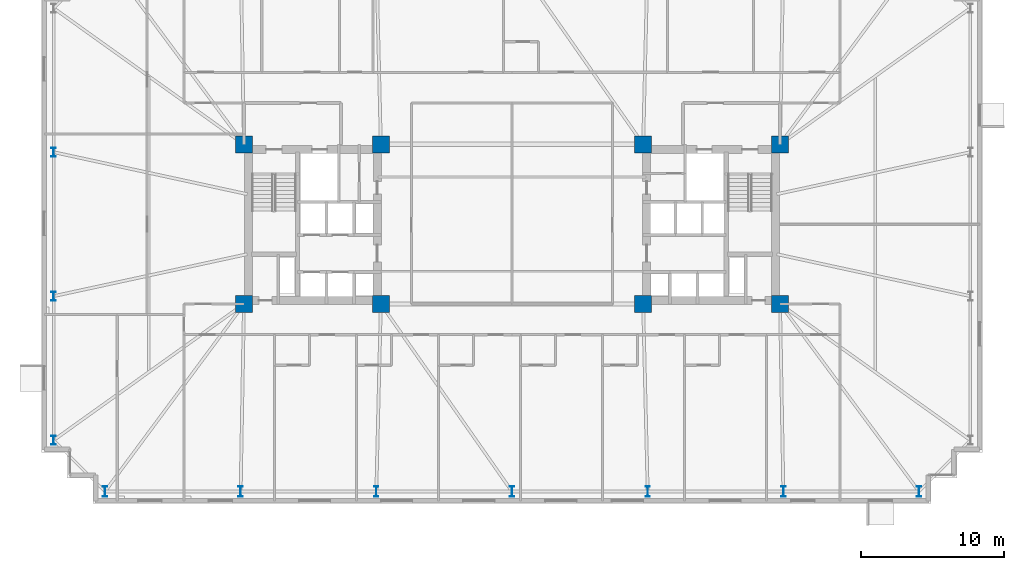
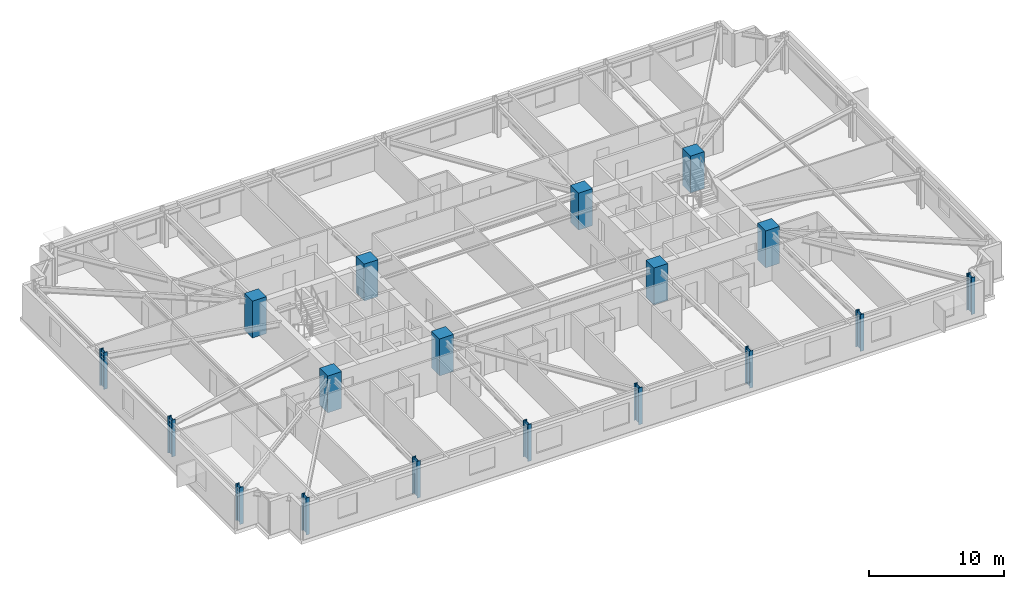
# One storey, part 1 of 20: 18 columns.
"""IFC4 building model written with IfcOpenShell, lengths in metres."""

from ifc_helpers import new_model, si_unit, direction, frame, origin, origin_2d, place, context, subcontext, project, spatial, rectangle, i_section, extrude, material, material_profile, profile_set, type_object, element, save


model = new_model("IFC4")

# Units and contexts
model_context = context("Model", 3, precision=1e-05, world=origin(), true_north=direction((0.0, 1.0)))
body_context = subcontext(model_context, "Body", "Model", "MODEL_VIEW")
ifc_project = project(units=[si_unit("LENGTHUNIT", "METRE"), si_unit("AREAUNIT", "SQUARE_METRE"), si_unit("VOLUMEUNIT", "CUBIC_METRE"), si_unit("PLANEANGLEUNIT", "RADIAN"), si_unit("MASSUNIT", "GRAM", prefix="KILO")], contexts=[model_context])

# Site, building, storey
site_placement = place(None, origin())
site = spatial("IfcSite", under=ifc_project, at=site_placement, CompositionType="ELEMENT")
building_placement = place(site_placement, origin())
building = spatial("IfcBuilding", under=site, at=building_placement, Name="Qobustan Lattice House", CompositionType="ELEMENT")
storey_placement = place(building_placement, frame((0.0, 0.0, 67.199951171875)))
storey = spatial("IfcBuildingStorey", under=building, at=storey_placement, Name="L18", CompositionType="ELEMENT", Elevation=67.199951171875)

# Columns
ifc_material_1 = material(Name="Concrete C60/75", Category="concrete")
ifc_material_profile_1 = material_profile(ifc_material_1, rectangle(XDim=1.199951171875, YDim=1.199951171875, at=origin_2d()), Name="RC1200x1200")
ifc_profile_set_1 = profile_set([ifc_material_profile_1], Name="Concrete C60/75")
column_type_1 = type_object("IfcColumnType", Name="COL-RC-1200", PredefinedType="COLUMN", material=ifc_profile_set_1)
for number, where, z_axis, x_axis, name in (
    (1, (-18.800048828125, -5.60009765625, 0.0), (0.0, 0.0, 1.0), (1.0, 0.0, 0.0), "L18 core mega-column CW-SW"),
    (2, (-18.800048828125, 5.60009765625, 0.0), (0.0, 0.0, 1.0), (1.0, 0.0, 0.0), "L18 core mega-column CW-NW"),
    (3, (-9.199951171875, -5.60009765625, 0.0), (0.0, 0.0, 1.0), (1.0, 0.0, 0.0), "L18 core mega-column CW-SE"),
    (4, (-9.199951171875, 5.60009765625, 0.0), (0.0, 0.0, 1.0), (1.0, 0.0, 0.0), "L18 core mega-column CW-NE"),
    (5, (9.199951171875, -5.60009765625, 0.0), (0.0, 0.0, 1.0), (1.0, 0.0, 0.0), "L18 core mega-column CE-SW"),
    (6, (9.199951171875, 5.60009765625, 0.0), (0.0, 0.0, 1.0), (1.0, 0.0, 0.0), "L18 core mega-column CE-NW"),
    (7, (18.800048828125, -5.60009765625, 0.0), (0.0, 0.0, 1.0), (1.0, 0.0, 0.0), "L18 core mega-column CE-SE"),
    (8, (18.800048828125, 5.60009765625, 0.0), (0.0, 0.0, 1.0), (1.0, 0.0, 0.0), "L18 core mega-column CE-NE"),
):
    element("IfcColumn", number, at=place(storey_placement, frame(where, z_axis=z_axis, x_axis=x_axis)), inside=storey, type_object=column_type_1, Name=name, PredefinedType="COLUMN", context=body_context, shape_type="SweptSolid", body=[
        extrude(rectangle(XDim=1.199951171875, YDim=1.199951171875, at=origin_2d()), origin(), (0.0, 0.0, 1.0), 3.35009765625),
    ])
ifc_material_2 = material(Name="Steel S460", Category="steel")
ifc_material_profile_2 = material_profile(ifc_material_2, i_section(OverallWidth=0.304931640625, OverallDepth=0.6201171875, WebThickness=0.02099609375, FlangeThickness=0.0400390625, FilletRadius=0.027099609375, at=origin_2d()), Name="HEM600")
ifc_profile_set_2 = profile_set([ifc_material_profile_2], Name="Steel S460")
column_type_2 = type_object("IfcColumnType", Name="COL-ST-HEM600", PredefinedType="COLUMN", material=ifc_profile_set_2)
for number, where, z_axis, x_axis, name in (
    (9, (-32.14990234375, 5.050048828125, 0.0), (0.0, 0.0, 1.0), (1.0, 0.0, 0.0), "L18 B1 perimeter column W2"),
    (10, (-32.14990234375, -5.050048828125, 0.0), (0.0, 0.0, 1.0), (1.0, 0.0, 0.0), "L18 B1 perimeter column W3"),
    (11, (-32.14990234375, -15.14990234375, 0.0), (0.0, 0.0, 1.0), (1.0, 0.0, 0.0), "L18 B1 perimeter column W4"),
):
    element("IfcColumn", number, at=place(storey_placement, frame(where, z_axis=z_axis, x_axis=x_axis)), inside=storey, type_object=column_type_2, Name=name, PredefinedType="COLUMN", context=body_context, shape_type="SweptSolid", body=[
        extrude(i_section(OverallWidth=0.304931640625, OverallDepth=0.6201171875, WebThickness=0.02099609375, FlangeThickness=0.0400390625, FilletRadius=0.027099609375, at=origin_2d()), origin(), (0.0, 0.0, 1.0), 3.35009765625),
    ])
ifc_material_3 = material(Name="Steel S460", Category="steel")
ifc_material_profile_3 = material_profile(ifc_material_3, i_section(OverallWidth=0.303955078125, OverallDepth=0.716064453125, WebThickness=0.02099609375, FlangeThickness=0.0400390625, FilletRadius=0.027099609375, at=origin_2d()), Name="HEM700")
ifc_profile_set_3 = profile_set([ifc_material_profile_3], Name="Steel S460")
column_type_3 = type_object("IfcColumnType", Name="COL-ST-HEM700", PredefinedType="COLUMN", material=ifc_profile_set_3)
for number, where, z_axis, x_axis, name in (
    (12, (-28.550048828125, -18.75, 0.0), (0.0, 0.0, 1.0), (1.0, 0.0, 0.0), "L18 B1 perimeter column S1"),
    (13, (-19.033203125, -18.75, 0.0), (0.0, 0.0, 1.0), (1.0, 0.0, 0.0), "L18 B1 perimeter column S2"),
    (14, (-9.5166015625, -18.75, 0.0), (0.0, 0.0, 1.0), (1.0, 0.0, 0.0), "L18 B1 perimeter column S3"),
    (15, (0.0, -18.75, 0.0), (0.0, 0.0, 1.0), (1.0, 0.0, 0.0), "L18 B1 perimeter column S4"),
    (16, (9.5166015625, -18.75, 0.0), (0.0, 0.0, 1.0), (1.0, 0.0, 0.0), "L18 B1 perimeter column S5"),
    (17, (19.033203125, -18.75, 0.0), (0.0, 0.0, 1.0), (1.0, 0.0, 0.0), "L18 B1 perimeter column S6"),
    (18, (28.550048828125, -18.75, 0.0), (0.0, 0.0, 1.0), (1.0, 0.0, 0.0), "L18 B1 perimeter column S7"),
):
    element("IfcColumn", number, at=place(storey_placement, frame(where, z_axis=z_axis, x_axis=x_axis)), inside=storey, type_object=column_type_3, Name=name, PredefinedType="COLUMN", context=body_context, shape_type="SweptSolid", body=[
        extrude(i_section(OverallWidth=0.303955078125, OverallDepth=0.716064453125, WebThickness=0.02099609375, FlangeThickness=0.0400390625, FilletRadius=0.027099609375, at=origin_2d()), origin(), (0.0, 0.0, 1.0), 3.35009765625),
    ])

save(model, "model.ifc")
